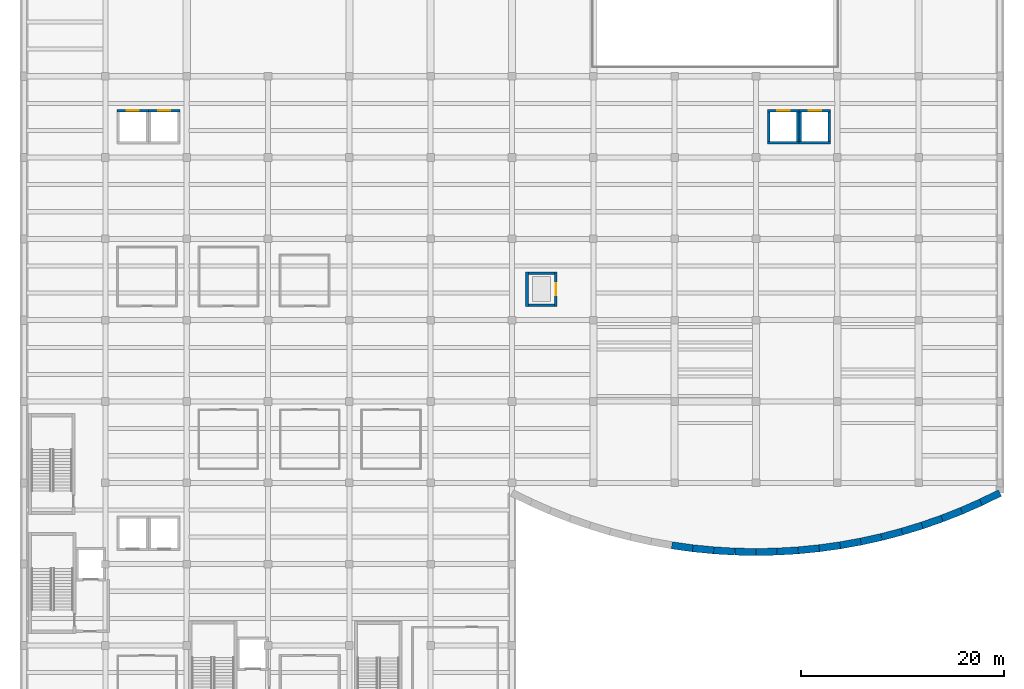
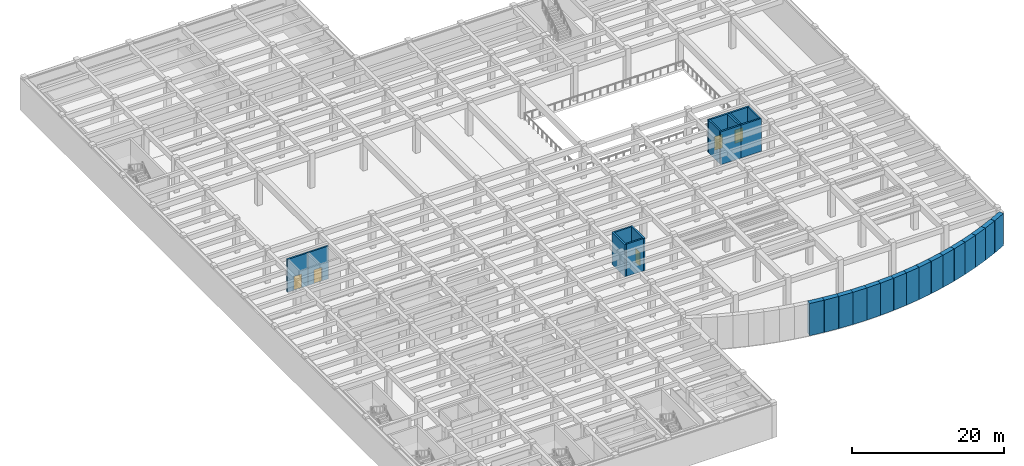
# One storey, part 8 of 19: 30 walls, 5 doors, 5 openings.
"""IFC4 building model written with IfcOpenShell, lengths in metres."""

from ifc_helpers import new_model, si_unit, direction, frame, frame_2d, origin, place, context, subcontext, project, spatial, rectangle, extrude, material, layer, layer_set, type_object, element, fill, save


model = new_model("IFC4")

# Units and contexts
model_context = context("Model", 3, precision=1e-05, world=origin(), true_north=direction((0.0, 1.0)))
body_context = subcontext(model_context, "Body", "Model", "MODEL_VIEW")
ifc_project = project(units=[si_unit("LENGTHUNIT", "METRE"), si_unit("AREAUNIT", "SQUARE_METRE"), si_unit("VOLUMEUNIT", "CUBIC_METRE"), si_unit("PLANEANGLEUNIT", "RADIAN"), si_unit("MASSUNIT", "GRAM", prefix="KILO")], contexts=[model_context])

# Site, building, storey
site_placement = place(None, origin())
site = spatial("IfcSite", under=ifc_project, at=site_placement, CompositionType="ELEMENT")
building_placement = place(site_placement, origin())
building = spatial("IfcBuilding", under=site, at=building_placement, Name="Drelvath Fold Interchange", CompositionType="ELEMENT")
storey_placement = place(building_placement, frame((0.0, 0.0, -5.60009765625)))
storey = spatial("IfcBuildingStorey", under=building, at=storey_placement, Name="B1", CompositionType="ELEMENT", Elevation=-5.60009765625)

# Walls
ifc_material_1 = material(Name="Concrete f'c 45 MPa (6500 psi)", Category="concrete")
ifc_layer_1 = layer(ifc_material_1, 0.699951171875, Name="Concrete f'c 45 MPa (6500 psi)")
ifc_layer_set_1 = layer_set([ifc_layer_1], Name="Concrete f'c 45 MPa (6500 psi)")
wall_type_1 = type_object("IfcWallType", Name="WL-DW700", PredefinedType="SOLIDWALL", material=ifc_layer_set_1)
wall_1_placement = place(storey_placement, frame((67.72607421875, 20.84912109375, 0.0), z_axis=(0.0, 0.0, 1.0), x_axis=(0.990398158961, -0.138244300883, 0.0)))
element("IfcWall", 1, at=wall_1_placement, inside=storey, type_object=wall_type_1, Name="B1 diaphragm wall 47", PredefinedType="SOLIDWALL", context=body_context, shape_type="SweptSolid", body=[
    extrude(rectangle(XDim=2.076904296875, YDim=0.699951171875, at=frame_2d((1.03857421875, 0.0))), origin(), (0.0, 0.0, 1.0), 5.18017578125),
])
wall_2_placement = place(storey_placement, frame((69.782958984375, 20.56201171875, 0.0), z_axis=(0.0, 0.0, 1.0), x_axis=(0.995114849303, -0.098724043157, 0.0)))
element("IfcWall", 2, at=wall_2_placement, inside=storey, type_object=wall_type_1, Name="B1 diaphragm wall 48", PredefinedType="SOLIDWALL", context=body_context, shape_type="SweptSolid", body=[
    extrude(rectangle(XDim=2.077392578125, YDim=0.699951171875, at=frame_2d((1.03857421875, 0.0))), origin(), (0.0, 0.0, 1.0), 5.18017578125),
])
wall_3_placement = place(storey_placement, frame((71.85009765625, 20.35693359375, 0.0), z_axis=(0.0, 0.0, 1.0), x_axis=(0.998243016639, -0.059252676998, 0.0)))
element("IfcWall", 3, at=wall_3_placement, inside=storey, type_object=wall_type_1, Name="B1 diaphragm wall 49", PredefinedType="SOLIDWALL", context=body_context, shape_type="SweptSolid", body=[
    extrude(rectangle(XDim=2.07666015625, YDim=0.699951171875, at=frame_2d((1.038330078125, 0.0))), origin(), (0.0, 0.0, 1.0), 5.18017578125),
])
for number, where, z_axis, x_axis, name in (
    (4, (73.923095703125, 20.23388671875, 0.0), (0.0, 0.0, 1.0), (0.99980736971, -0.019627110702, 0.0), "B1 diaphragm wall 50"),
    (5, (76.0, 20.193115234375, 0.0), (0.0, 0.0, 1.0), (0.99980736971, 0.019627110702, 0.0), "B1 diaphragm wall 51"),
):
    element("IfcWall", number, at=place(storey_placement, frame(where, z_axis=z_axis, x_axis=x_axis)), inside=storey, type_object=wall_type_1, Name=name, PredefinedType="SOLIDWALL", context=body_context, shape_type="SweptSolid", body=[
        extrude(rectangle(XDim=2.077392578125, YDim=0.699951171875, at=frame_2d((1.03857421875, 0.0))), origin(), (0.0, 0.0, 1.0), 5.18017578125),
    ])
wall_4_placement = place(storey_placement, frame((78.076904296875, 20.23388671875, 0.0), z_axis=(0.0, 0.0, 1.0), x_axis=(0.998243016639, 0.059252676998, 0.0)))
element("IfcWall", 6, at=wall_4_placement, inside=storey, type_object=wall_type_1, Name="B1 diaphragm wall 52", PredefinedType="SOLIDWALL", context=body_context, shape_type="SweptSolid", body=[
    extrude(rectangle(XDim=2.07666015625, YDim=0.699951171875, at=frame_2d((1.038330078125, 0.0))), origin(), (0.0, 0.0, 1.0), 5.18017578125),
])
wall_5_placement = place(storey_placement, frame((80.14990234375, 20.35693359375, 0.0), z_axis=(0.0, 0.0, 1.0), x_axis=(0.995114849303, 0.098724043157, 0.0)))
element("IfcWall", 7, at=wall_5_placement, inside=storey, type_object=wall_type_1, Name="B1 diaphragm wall 53", PredefinedType="SOLIDWALL", context=body_context, shape_type="SweptSolid", body=[
    extrude(rectangle(XDim=2.077392578125, YDim=0.699951171875, at=frame_2d((1.03857421875, 0.0))), origin(), (0.0, 0.0, 1.0), 5.18017578125),
])
wall_6_placement = place(storey_placement, frame((82.217041015625, 20.56201171875, 0.0), z_axis=(0.0, 0.0, 1.0), x_axis=(0.990398158961, 0.138244300883, 0.0)))
element("IfcWall", 8, at=wall_6_placement, inside=storey, type_object=wall_type_1, Name="B1 diaphragm wall 54", PredefinedType="SOLIDWALL", context=body_context, shape_type="SweptSolid", body=[
    extrude(rectangle(XDim=2.076904296875, YDim=0.699951171875, at=frame_2d((1.03857421875, 0.0))), origin(), (0.0, 0.0, 1.0), 5.18017578125),
])
wall_7_placement = place(storey_placement, frame((84.27392578125, 20.84912109375, 0.0), z_axis=(0.0, 0.0, 1.0), x_axis=(0.984186192965, 0.177137058736, 0.0)))
element("IfcWall", 9, at=wall_7_placement, inside=storey, type_object=wall_type_1, Name="B1 diaphragm wall 55", PredefinedType="SOLIDWALL", context=body_context, shape_type="SweptSolid", body=[
    extrude(rectangle(XDim=2.0771484375, YDim=0.699951171875, at=frame_2d((1.03857421875, 0.0))), origin(), (0.0, 0.0, 1.0), 5.18017578125),
])
wall_8_placement = place(storey_placement, frame((86.318115234375, 21.217041015625, 0.0), z_axis=(0.0, 0.0, 1.0), x_axis=(0.976454627241, 0.215722879965, 0.0)))
element("IfcWall", 10, at=wall_8_placement, inside=storey, type_object=wall_type_1, Name="B1 diaphragm wall 56", PredefinedType="SOLIDWALL", context=body_context, shape_type="SweptSolid", body=[
    extrude(rectangle(XDim=2.07666015625, YDim=0.699951171875, at=frame_2d((1.038330078125, 0.0))), origin(), (0.0, 0.0, 1.0), 5.18017578125),
])
wall_9_placement = place(storey_placement, frame((88.345947265625, 21.6650390625, 0.0), z_axis=(0.0, 0.0, 1.0), x_axis=(0.967031901637, 0.254655259551, 0.0)))
element("IfcWall", 11, at=wall_9_placement, inside=storey, type_object=wall_type_1, Name="B1 diaphragm wall 57", PredefinedType="SOLIDWALL", context=body_context, shape_type="SweptSolid", body=[
    extrude(rectangle(XDim=2.07763671875, YDim=0.699951171875, at=frame_2d((1.038818359375, 0.0))), origin(), (0.0, 0.0, 1.0), 5.18017578125),
])
wall_10_placement = place(storey_placement, frame((90.35498046875, 22.194091796875, 0.0), z_axis=(0.0, 0.0, 1.0), x_axis=(0.956341531937, 0.292251388862, 0.0)))
element("IfcWall", 12, at=wall_10_placement, inside=storey, type_object=wall_type_1, Name="B1 diaphragm wall 58", PredefinedType="SOLIDWALL", context=body_context, shape_type="SweptSolid", body=[
    extrude(rectangle(XDim=2.07666015625, YDim=0.699951171875, at=frame_2d((1.038330078125, 0.0))), origin(), (0.0, 0.0, 1.0), 5.18017578125),
])
for number, where, z_axis, x_axis, name in (
    (13, (92.341064453125, 22.801025390625, 0.0), (0.0, 0.0, 1.0), (0.944048769858, 0.329805882498, 0.0), "B1 diaphragm wall 59"),
    (14, (94.302001953125, 23.486083984375, 0.0), (0.0, 0.0, 1.0), (0.930097108534, 0.367313719723, 0.0), "B1 diaphragm wall 60"),
):
    element("IfcWall", number, at=place(storey_placement, frame(where, z_axis=z_axis, x_axis=x_axis)), inside=storey, type_object=wall_type_1, Name=name, PredefinedType="SOLIDWALL", context=body_context, shape_type="SweptSolid", body=[
        extrude(rectangle(XDim=2.0771484375, YDim=0.699951171875, at=frame_2d((1.03857421875, 0.0))), origin(), (0.0, 0.0, 1.0), 5.18017578125),
    ])
wall_11_placement = place(storey_placement, frame((96.23388671875, 24.2490234375, 0.0), z_axis=(0.0, 0.0, 1.0), x_axis=(0.914990571721, 0.403475220628, 0.0)))
element("IfcWall", 15, at=wall_11_placement, inside=storey, type_object=wall_type_1, Name="B1 diaphragm wall 61", PredefinedType="SOLIDWALL", context=body_context, shape_type="SweptSolid", body=[
    extrude(rectangle(XDim=2.07666015625, YDim=0.699951171875, at=frame_2d((1.038330078125, 0.0))), origin(), (0.0, 0.0, 1.0), 5.18017578125),
])
wall_12_placement = place(storey_placement, frame((98.134033203125, 25.0869140625, 0.0), z_axis=(0.0, 0.0, 1.0), x_axis=(0.898225606886, 0.439534707543, 0.0)))
element("IfcWall", 16, at=wall_12_placement, inside=storey, type_object=wall_type_1, Name="B1 diaphragm wall 62", PredefinedType="SOLIDWALL", context=body_context, shape_type="SweptSolid", body=[
    extrude(rectangle(XDim=2.077392578125, YDim=0.699951171875, at=frame_2d((1.03857421875, 0.0))), origin(), (0.0, 0.0, 1.0), 5.18017578125),
])

# Wall, opening, door
ifc_layer_2 = layer(ifc_material_1, 0.25, Name="Concrete f'c 45 MPa (6500 psi)")
ifc_layer_set_2 = layer_set([ifc_layer_2], Name="Concrete f'c 45 MPa (6500 psi)")
wall_type_2 = type_object("IfcWallType", Name="WL-SH250", PredefinedType="SOLIDWALL", material=ifc_layer_set_2)
wall_13_placement = place(storey_placement, frame((16.25, 63.625, 0.0), z_axis=(0.0, 0.0, 1.0), x_axis=(-1.0, 0.0, 0.0)))
wall_13 = element("IfcWall", 17, at=wall_13_placement, inside=storey, type_object=wall_type_2, Name="LF-03 B1 north shaft wall", PredefinedType="SOLIDWALL", context=body_context, shape_type="SweptSolid", body=[
    extrude(rectangle(XDim=3.10009765625, YDim=0.25, at=frame_2d((1.550048828125, 0.0))), origin(), (0.0, 0.0, 1.0), 5.275146484375),
])
opening_1_placement = place(wall_13_placement, frame((0.949951171875, 0.0, 0.0)))
opening_1 = element("IfcOpeningElement", 18, at=opening_1_placement, cuts=wall_13, Name="Opening LD-LF-03-B1", PredefinedType="OPENING", context=body_context, shape_type="SweptSolid", body=[
    extrude(rectangle(XDim=1.199951171875, YDim=2.199951171875, at=frame_2d((0.60009765625, 1.10009765625))), frame((0.0, 0.135009765625, 0.0), z_axis=(0.0, -1.0, 0.0), x_axis=(1.0, 0.0, 0.0)), (0.0, 0.0, 1.0), 0.27001953125),
])
ifc_material_2 = material(Name="Insulated Hollow Metal Door Assembly")
door_type = type_object("IfcDoorType", Name="DR-LD1200", OperationType="DOUBLE_DOOR_SLIDING", PredefinedType="DOOR", material=ifc_material_2)
door_1_placement = place(opening_1_placement, frame((1.199951171875, 0.0, 0.0), z_axis=(0.0, 0.0, 1.0), x_axis=(-1.0, 0.0, 0.0)))
door_1 = element("IfcDoor", 19, at=door_1_placement, inside=storey, type_object=door_type, Name="LF-03 B1 lift landing sliding door LD-LF-03-B1", OperationType="DOUBLE_DOOR_SLIDING", OverallHeight=2.199951171875, OverallWidth=1.199951171875, PredefinedType="DOOR", context=body_context, shape_type="SweptSolid", body=[
    extrude(rectangle(XDim=1.199951171875, YDim=2.199951171875, at=frame_2d((0.60009765625, 1.10009765625))), frame((0.0, 0.02490234375, 0.0), z_axis=(0.0, -1.0, 0.0), x_axis=(1.0, 0.0, 0.0)), (0.0, 0.0, 1.0), 0.050048828125),
])
fill(opening_1, door_1)

wall_14_placement = place(storey_placement, frame((19.35009765625, 63.625, 0.0), z_axis=(0.0, 0.0, 1.0), x_axis=(-1.0, 0.0, 0.0)))
wall_14 = element("IfcWall", 20, at=wall_14_placement, inside=storey, type_object=wall_type_2, Name="LF-04 B1 north shaft wall", PredefinedType="SOLIDWALL", context=body_context, shape_type="SweptSolid", body=[
    extrude(rectangle(XDim=3.10009765625, YDim=0.25, at=frame_2d((1.550048828125, 0.0))), origin(), (0.0, 0.0, 1.0), 5.275146484375),
])
opening_2_placement = place(wall_14_placement, frame((0.949951171875, 0.0, 0.0)))
opening_2 = element("IfcOpeningElement", 21, at=opening_2_placement, cuts=wall_14, Name="Opening LD-LF-04-B1", PredefinedType="OPENING", context=body_context, shape_type="SweptSolid", body=[
    extrude(rectangle(XDim=1.199951171875, YDim=2.199951171875, at=frame_2d((0.60009765625, 1.10009765625))), frame((0.0, 0.135009765625, 0.0), z_axis=(0.0, -1.0, 0.0), x_axis=(1.0, 0.0, 0.0)), (0.0, 0.0, 1.0), 0.27001953125),
])
door_2_placement = place(opening_2_placement, frame((1.199951171875, 0.0, 0.0), z_axis=(0.0, 0.0, 1.0), x_axis=(-1.0, 0.0, 0.0)))
door_2 = element("IfcDoor", 22, at=door_2_placement, inside=storey, type_object=door_type, Name="LF-04 B1 lift landing sliding door LD-LF-04-B1", OperationType="DOUBLE_DOOR_SLIDING", OverallHeight=2.199951171875, OverallWidth=1.199951171875, PredefinedType="DOOR", context=body_context, shape_type="SweptSolid", body=[
    extrude(rectangle(XDim=1.199951171875, YDim=2.199951171875, at=frame_2d((0.60009765625, 1.10009765625))), frame((0.0, 0.02490234375, 0.0), z_axis=(0.0, -1.0, 0.0), x_axis=(1.0, 0.0, 0.0)), (0.0, 0.0, 1.0), 0.050048828125),
])
fill(opening_2, door_2)

# Wall
wall_15_placement = place(storey_placement, frame((77.14990234375, 60.47509765625, 0.0), z_axis=(0.0, 0.0, 1.0), x_axis=(1.0, 0.0, 0.0)))
element("IfcWall", 23, at=wall_15_placement, inside=storey, type_object=wall_type_2, Name="LF-05 B1 south shaft wall", PredefinedType="SOLIDWALL", context=body_context, shape_type="SweptSolid", body=[
    extrude(rectangle(XDim=3.10009765625, YDim=0.25, at=frame_2d((1.550048828125, 0.0))), origin(), (0.0, 0.0, 1.0), 5.275146484375),
])

# Wall, opening, door
wall_16_placement = place(storey_placement, frame((80.25, 63.625, 0.0), z_axis=(0.0, 0.0, 1.0), x_axis=(-1.0, 0.0, 0.0)))
wall_16 = element("IfcWall", 24, at=wall_16_placement, inside=storey, type_object=wall_type_2, Name="LF-05 B1 north shaft wall", PredefinedType="SOLIDWALL", context=body_context, shape_type="SweptSolid", body=[
    extrude(rectangle(XDim=3.10009765625, YDim=0.25, at=frame_2d((1.550048828125, 0.0))), origin(), (0.0, 0.0, 1.0), 5.275146484375),
])
opening_3_placement = place(wall_16_placement, frame((0.949951171875, 0.0, 0.0)))
opening_3 = element("IfcOpeningElement", 25, at=opening_3_placement, cuts=wall_16, Name="Opening LD-LF-05-B1", PredefinedType="OPENING", context=body_context, shape_type="SweptSolid", body=[
    extrude(rectangle(XDim=1.199951171875, YDim=2.199951171875, at=frame_2d((0.60009765625, 1.10009765625))), frame((0.0, 0.135009765625, 0.0), z_axis=(0.0, -1.0, 0.0), x_axis=(1.0, 0.0, 0.0)), (0.0, 0.0, 1.0), 0.27001953125),
])
door_3_placement = place(opening_3_placement, frame((1.199951171875, 0.0, 0.0), z_axis=(0.0, 0.0, 1.0), x_axis=(-1.0, 0.0, 0.0)))
door_3 = element("IfcDoor", 26, at=door_3_placement, inside=storey, type_object=door_type, Name="LF-05 B1 lift landing sliding door LD-LF-05-B1", OperationType="DOUBLE_DOOR_SLIDING", OverallHeight=2.199951171875, OverallWidth=1.199951171875, PredefinedType="DOOR", context=body_context, shape_type="SweptSolid", body=[
    extrude(rectangle(XDim=1.199951171875, YDim=2.199951171875, at=frame_2d((0.60009765625, 1.10009765625))), frame((0.0, 0.02490234375, 0.0), z_axis=(0.0, -1.0, 0.0), x_axis=(1.0, 0.0, 0.0)), (0.0, 0.0, 1.0), 0.050048828125),
])
fill(opening_3, door_3)

# Walls
for number, where, z_axis, x_axis, name in (
    (27, (80.125, 60.60009765625, 0.0), (0.0, 0.0, 1.0), (0.0, 1.0, 0.0), "LF-05 B1 east shaft wall"),
    (28, (77.27490234375, 63.5, 0.0), (0.0, 0.0, 1.0), (0.0, -1.0, 0.0), "LF-05 B1 west shaft wall"),
):
    element("IfcWall", number, at=place(storey_placement, frame(where, z_axis=z_axis, x_axis=x_axis)), inside=storey, type_object=wall_type_2, Name=name, PredefinedType="SOLIDWALL", context=body_context, shape_type="SweptSolid", body=[
        extrude(rectangle(XDim=2.89990234375, YDim=0.25, at=frame_2d((1.449951171875, 0.0))), origin(), (0.0, 0.0, 1.0), 5.275146484375),
    ])
wall_17_placement = place(storey_placement, frame((80.25, 60.47509765625, 0.0), z_axis=(0.0, 0.0, 1.0), x_axis=(1.0, 0.0, 0.0)))
element("IfcWall", 29, at=wall_17_placement, inside=storey, type_object=wall_type_2, Name="LF-06 B1 south shaft wall", PredefinedType="SOLIDWALL", context=body_context, shape_type="SweptSolid", body=[
    extrude(rectangle(XDim=3.10009765625, YDim=0.25, at=frame_2d((1.550048828125, 0.0))), origin(), (0.0, 0.0, 1.0), 5.275146484375),
])

# Wall, opening, door
wall_18_placement = place(storey_placement, frame((83.35009765625, 63.625, 0.0), z_axis=(0.0, 0.0, 1.0), x_axis=(-1.0, 0.0, 0.0)))
wall_18 = element("IfcWall", 30, at=wall_18_placement, inside=storey, type_object=wall_type_2, Name="LF-06 B1 north shaft wall", PredefinedType="SOLIDWALL", context=body_context, shape_type="SweptSolid", body=[
    extrude(rectangle(XDim=3.10009765625, YDim=0.25, at=frame_2d((1.550048828125, 0.0))), origin(), (0.0, 0.0, 1.0), 5.275146484375),
])
opening_4_placement = place(wall_18_placement, frame((0.949951171875, 0.0, 0.0)))
opening_4 = element("IfcOpeningElement", 31, at=opening_4_placement, cuts=wall_18, Name="Opening LD-LF-06-B1", PredefinedType="OPENING", context=body_context, shape_type="SweptSolid", body=[
    extrude(rectangle(XDim=1.199951171875, YDim=2.199951171875, at=frame_2d((0.60009765625, 1.10009765625))), frame((0.0, 0.135009765625, 0.0), z_axis=(0.0, -1.0, 0.0), x_axis=(1.0, 0.0, 0.0)), (0.0, 0.0, 1.0), 0.27001953125),
])
door_4_placement = place(opening_4_placement, frame((1.199951171875, 0.0, 0.0), z_axis=(0.0, 0.0, 1.0), x_axis=(-1.0, 0.0, 0.0)))
door_4 = element("IfcDoor", 32, at=door_4_placement, inside=storey, type_object=door_type, Name="LF-06 B1 lift landing sliding door LD-LF-06-B1", OperationType="DOUBLE_DOOR_SLIDING", OverallHeight=2.199951171875, OverallWidth=1.199951171875, PredefinedType="DOOR", context=body_context, shape_type="SweptSolid", body=[
    extrude(rectangle(XDim=1.199951171875, YDim=2.199951171875, at=frame_2d((0.60009765625, 1.10009765625))), frame((0.0, 0.02490234375, 0.0), z_axis=(0.0, -1.0, 0.0), x_axis=(1.0, 0.0, 0.0)), (0.0, 0.0, 1.0), 0.050048828125),
])
fill(opening_4, door_4)

# Walls
for number, where, z_axis, x_axis, name in (
    (33, (83.22509765625, 60.60009765625, 0.0), (0.0, 0.0, 1.0), (0.0, 1.0, 0.0), "LF-06 B1 east shaft wall"),
    (34, (80.375, 63.5, 0.0), (0.0, 0.0, 1.0), (0.0, -1.0, 0.0), "LF-06 B1 west shaft wall"),
):
    element("IfcWall", number, at=place(storey_placement, frame(where, z_axis=z_axis, x_axis=x_axis)), inside=storey, type_object=wall_type_2, Name=name, PredefinedType="SOLIDWALL", context=body_context, shape_type="SweptSolid", body=[
        extrude(rectangle(XDim=2.89990234375, YDim=0.25, at=frame_2d((1.449951171875, 0.0))), origin(), (0.0, 0.0, 1.0), 5.275146484375),
    ])
for number, where, z_axis, x_axis, name in (
    (35, (53.60009765625, 44.47509765625, 0.0), (0.0, 0.0, 1.0), (1.0, 0.0, 0.0), "LF-07 B1 south shaft wall"),
    (36, (56.199951171875, 47.625, 0.0), (0.0, 0.0, 1.0), (-1.0, 0.0, 0.0), "LF-07 B1 north shaft wall"),
):
    element("IfcWall", number, at=place(storey_placement, frame(where, z_axis=z_axis, x_axis=x_axis)), inside=storey, type_object=wall_type_2, Name=name, PredefinedType="SOLIDWALL", context=body_context, shape_type="SweptSolid", body=[
        extrude(rectangle(XDim=2.599853515625, YDim=0.25, at=frame_2d((1.2998046875, 0.0))), origin(), (0.0, 0.0, 1.0), 5.175048828125),
    ])

# Wall, opening, door
wall_19_placement = place(storey_placement, frame((56.324951171875, 44.35009765625, 0.0), z_axis=(0.0, 0.0, 1.0), x_axis=(0.0, 1.0, 0.0)))
wall_19 = element("IfcWall", 37, at=wall_19_placement, inside=storey, type_object=wall_type_2, Name="LF-07 B1 east shaft wall", PredefinedType="SOLIDWALL", context=body_context, shape_type="SweptSolid", body=[
    extrude(rectangle(XDim=3.39990234375, YDim=0.25, at=frame_2d((1.699951171875, 0.0))), origin(), (0.0, 0.0, 1.0), 5.175048828125),
])
opening_5_placement = place(wall_19_placement, frame((1.10009765625, 0.0, 0.0)))
opening_5 = element("IfcOpeningElement", 38, at=opening_5_placement, cuts=wall_19, Name="Opening LD-LF-07-B1", PredefinedType="OPENING", context=body_context, shape_type="SweptSolid", body=[
    extrude(rectangle(XDim=1.199951171875, YDim=2.199951171875, at=frame_2d((0.60009765625, 1.10009765625))), frame((0.0, 0.135009765625, 0.0), z_axis=(0.0, -1.0, 0.0), x_axis=(1.0, 0.0, 0.0)), (0.0, 0.0, 1.0), 0.27001953125),
])
door_5_placement = place(opening_5_placement, frame((1.199951171875, 0.0, 0.0), z_axis=(0.0, 0.0, 1.0), x_axis=(-1.0, 0.0, 0.0)))
door_5 = element("IfcDoor", 39, at=door_5_placement, inside=storey, type_object=door_type, Name="LF-07 B1 lift landing sliding door LD-LF-07-B1", OperationType="DOUBLE_DOOR_SLIDING", OverallHeight=2.199951171875, OverallWidth=1.199951171875, PredefinedType="DOOR", context=body_context, shape_type="SweptSolid", body=[
    extrude(rectangle(XDim=1.199951171875, YDim=2.199951171875, at=frame_2d((0.60009765625, 1.10009765625))), frame((0.0, 0.02490234375, 0.0), z_axis=(0.0, -1.0, 0.0), x_axis=(1.0, 0.0, 0.0)), (0.0, 0.0, 1.0), 0.050048828125),
])
fill(opening_5, door_5)

# Wall
wall_20_placement = place(storey_placement, frame((53.47509765625, 47.75, 0.0), z_axis=(0.0, 0.0, 1.0), x_axis=(0.0, -1.0, 0.0)))
element("IfcWall", 40, at=wall_20_placement, inside=storey, type_object=wall_type_2, Name="LF-07 B1 west shaft wall", PredefinedType="SOLIDWALL", context=body_context, shape_type="SweptSolid", body=[
    extrude(rectangle(XDim=3.39990234375, YDim=0.25, at=frame_2d((1.699951171875, 0.0))), origin(), (0.0, 0.0, 1.0), 5.175048828125),
])

save(model, "model.ifc")
